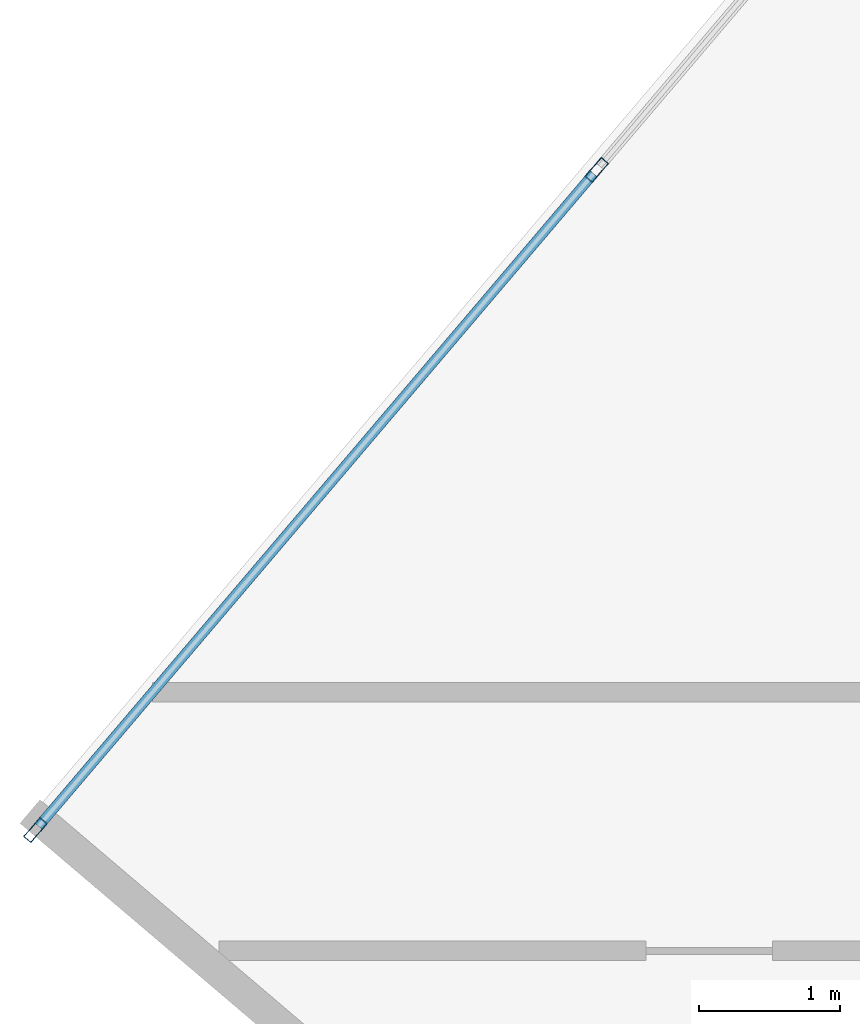
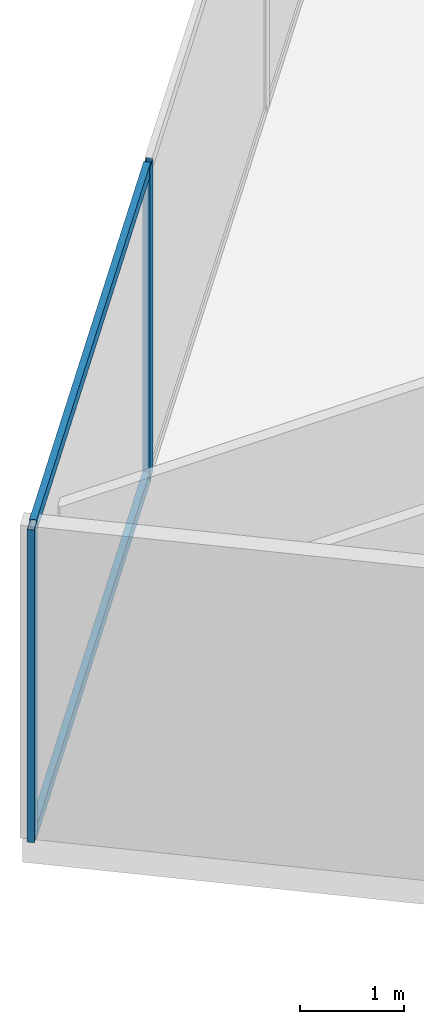
# One storey, part 8 of 25: 4 members, 1 element without a shape of its own.
"""IFC4 building model written with IfcOpenShell, lengths in metres."""

from ifc_helpers import new_model, si_unit, direction, frame, origin, origin_2d, place, context, subcontext, project, spatial, hollow_rectangle, extrude, source, transform, mapped, material, material_profile, profile_set, type_object, type_shapes, element, aggregate, save


model = new_model("IFC4")

# Units and contexts
model_context = context("Model", 3, precision=1e-05, world=origin(), true_north=direction((0.0, 1.0)))
body_context = subcontext(model_context, "Body", "Model", "MODEL_VIEW")
ifc_project = project(units=[si_unit("LENGTHUNIT", "METRE"), si_unit("AREAUNIT", "SQUARE_METRE"), si_unit("VOLUMEUNIT", "CUBIC_METRE"), si_unit("PLANEANGLEUNIT", "RADIAN"), si_unit("MASSUNIT", "GRAM", prefix="KILO")], contexts=[model_context])

# Site, building, storey
site_placement = place(None, origin())
site = spatial("IfcSite", under=ifc_project, at=site_placement, CompositionType="ELEMENT")
building_placement = place(site_placement, origin())
building = spatial("IfcBuilding", under=site, at=building_placement, Name="Krantzveldt Concourse Tower", CompositionType="ELEMENT")
storey_placement = place(building_placement, frame((0.0, 0.0, 215.199951171875)))
storey = spatial("IfcBuildingStorey", under=building, at=storey_placement, Name="L52", CompositionType="ELEMENT", Elevation=215.199951171875)

# Curtain wall, members
ifc_material = material(Name="Anodised aluminium 6063-T6", Category="aluminium")
curtain_wall_type = type_object("IfcCurtainWallType", Name="CW3", PredefinedType="USERDEFINED", material=ifc_material)
curtain_wall_placement = place(storey_placement, origin())
curtain_wall = element("IfcCurtainWall", 1, at=curtain_wall_placement, inside=storey, type_object=curtain_wall_type, Name="CW-L52-F01", ObjectType="UNITISED CURTAIN WALL", PredefinedType="USERDEFINED")
ifc_material_profile_1 = material_profile(ifc_material, hollow_rectangle(XDim=0.070068359375, YDim=0.179931640625, WallThickness=0.0048828125, at=origin_2d()), Name="Anodised aluminium 6063-T6", Category="aluminium")
ifc_profile_set_1 = profile_set([ifc_material_profile_1], Name="Anodised aluminium 6063-T6 - ALU-MULL 180x70x5")
member_type_1 = type_object("IfcMemberType", Name="CW-MUL-180", PredefinedType="MULLION", material=ifc_profile_set_1)
shared_shape_1 = source(origin(), body_context, "Body", "SweptSolid", [
    extrude(hollow_rectangle(XDim=0.070068359375, YDim=0.179931640625, WallThickness=0.0048828125, at=origin_2d()), origin(), (0.0, 0.0, 1.0), 3.670166015625),
])
type_shapes(member_type_1, [shared_shape_1])
member_1_placement = place(storey_placement, frame((14.4267578125, 32.83642578125, 0.0), z_axis=(0.0, 0.0, 1.0), x_axis=(0.761820912327, -0.647787694805, 0.0)))
member_1 = element("IfcMember", 2, at=member_1_placement, type_object=member_type_1, Name="CW-Z34 mullion 5", PredefinedType="MULLION", context=body_context, shape_type="MappedRepresentation", body=[
    mapped(shared_shape_1, transform((0.0, 0.0, 0.0), x_axis=(1.0, 0.0, 0.0), y_axis=(0.0, 1.0, 0.0), z_axis=(0.0, 0.0, 1.0), scale=1.0)),
])
member_2_placement = place(storey_placement, frame((10.43310546875, 28.139892578125, 0.0), z_axis=(0.0, 0.0, 1.0), x_axis=(0.761820912327, -0.647787694805, 0.0)))
member_2 = element("IfcMember", 3, at=member_2_placement, type_object=member_type_1, Name="CW-Z34 mullion 6", PredefinedType="MULLION", context=body_context, shape_type="MappedRepresentation", body=[
    mapped(shared_shape_1, transform((0.0, 0.0, 0.0), x_axis=(1.0, 0.0, 0.0), y_axis=(0.0, 1.0, 0.0), z_axis=(0.0, 0.0, 1.0), scale=1.0)),
])
ifc_material_profile_2 = material_profile(ifc_material, hollow_rectangle(XDim=0.070068359375, YDim=0.139892578125, WallThickness=0.0048828125, at=origin_2d()), Name="Anodised aluminium 6063-T6", Category="aluminium")
ifc_profile_set_2 = profile_set([ifc_material_profile_2], Name="Anodised aluminium 6063-T6 - ALU-TRAN 140x70x5")
member_type_2 = type_object("IfcMemberType", Name="CW-TRN-150", PredefinedType="USERDEFINED", material=ifc_profile_set_2)
shared_shape_2 = source(origin(), body_context, "Body", "SweptSolid", [
    extrude(hollow_rectangle(XDim=0.070068359375, YDim=0.139892578125, WallThickness=0.0048828125, at=origin_2d()), origin(), (0.0, 0.0, 1.0), 6.094970703125),
])
type_shapes(member_type_2, [shared_shape_2])
member_3_placement = place(storey_placement, frame((14.404052734375, 32.809814453125, 0.03515625), z_axis=(-0.64778444877, -0.761823672468, 0.0), x_axis=(0.761823672468, -0.64778444877, 0.0)))
member_3 = element("IfcMember", 4, at=member_3_placement, type_object=member_type_2, Name="CW-Z34 transom 5.1", ObjectType="TRANSOM", PredefinedType="USERDEFINED", context=body_context, shape_type="MappedRepresentation", body=[
    mapped(shared_shape_2, transform((0.0, 0.0, 0.0), x_axis=(1.0, 0.0, 0.0), y_axis=(0.0, 1.0, 0.0), z_axis=(0.0, 0.0, 1.0), scale=1.0)),
])
member_4_placement = place(storey_placement, frame((14.404052734375, 32.809814453125, 3.635009765625), z_axis=(-0.64778444877, -0.761823672468, 0.0), x_axis=(0.761823672468, -0.64778444877, 0.0)))
member_4 = element("IfcMember", 5, at=member_4_placement, type_object=member_type_2, Name="CW-Z34 transom 5.2", ObjectType="TRANSOM", PredefinedType="USERDEFINED", context=body_context, shape_type="MappedRepresentation", body=[
    mapped(shared_shape_2, transform((0.0, 0.0, 0.0), x_axis=(1.0, 0.0, 0.0), y_axis=(0.0, 1.0, 0.0), z_axis=(0.0, 0.0, 1.0), scale=1.0)),
])
aggregate(curtain_wall, [member_1, member_2, member_3, member_4])

save(model, "model.ifc")
